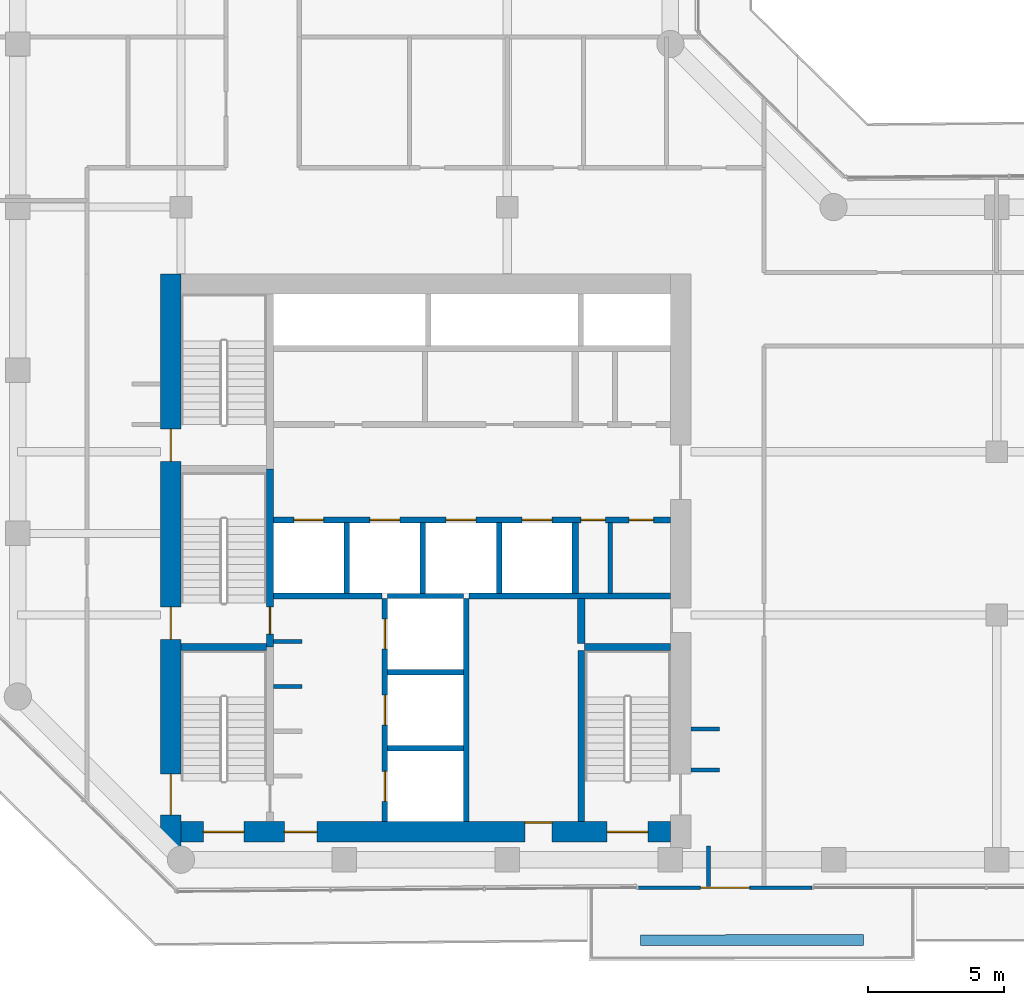
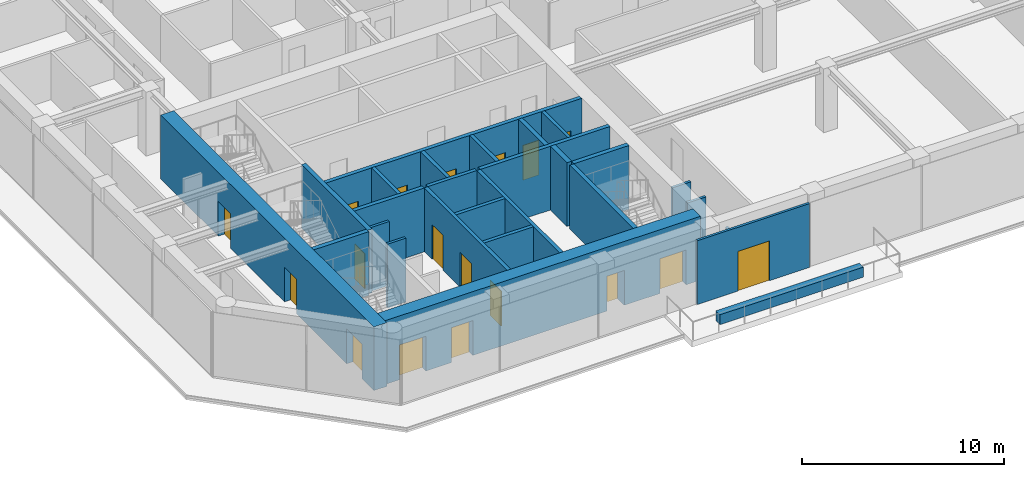
# One storey, part 16 of 21: 27 walls, 18 doors, 18 openings.
"""IFC4 building model written with IfcOpenShell, lengths in metres."""

from ifc_helpers import new_model, si_unit, direction, frame, frame_2d, origin, place, context, subcontext, project, spatial, rectangle, extrude, material, layer, layer_set, type_object, element, fill, save


model = new_model("IFC4")

# Units and contexts
model_context = context("Model", 3, precision=1e-05, world=origin(), true_north=direction((0.0, 1.0)))
body_context = subcontext(model_context, "Body", "Model", "MODEL_VIEW")
ifc_project = project(units=[si_unit("LENGTHUNIT", "METRE"), si_unit("AREAUNIT", "SQUARE_METRE"), si_unit("VOLUMEUNIT", "CUBIC_METRE"), si_unit("PLANEANGLEUNIT", "RADIAN"), si_unit("MASSUNIT", "GRAM", prefix="KILO")], contexts=[model_context])

# Site, building, storey
site_placement = place(None, origin())
site = spatial("IfcSite", under=ifc_project, at=site_placement, CompositionType="ELEMENT")
building_placement = place(site_placement, origin())
building = spatial("IfcBuilding", under=site, at=building_placement, Name="Welwitschia Terrace Campus", CompositionType="ELEMENT")
storey_placement = place(building_placement, frame((0.0, 0.0, 108.800048828125)))
storey = spatial("IfcBuildingStorey", under=building, at=storey_placement, Name="L24", CompositionType="ELEMENT", Elevation=108.800048828125)

# Wall, opening, door
ifc_material_1 = material(Name="Concrete C40/50", Category="concrete")
ifc_layer_1 = layer(ifc_material_1, 0.139892578125)
ifc_layer_set_1 = layer_set([ifc_layer_1], Name="Concrete C40/50")
wall_type_1 = type_object("IfcWallType", Name="Clad wall 140", PredefinedType="SOLIDWALL", material=ifc_layer_set_1)
wall_1_placement = place(storey_placement, frame((22.810791015625, 2.969970703125, 0.0), z_axis=(0.0, 0.0, 1.0), x_axis=(1.0, 0.0, 0.0)))
wall_1 = element("IfcWall", 1, at=wall_1_placement, inside=storey, type_object=wall_type_1, Name="Clad wall L24.terrace door 0", PredefinedType="SOLIDWALL", context=body_context, shape_type="SweptSolid", body=[
    extrude(rectangle(XDim=6.40380859375, YDim=0.139892578125, at=frame_2d((3.201904296875, 0.0))), origin(), (0.0, 0.0, 1.0), 3.849853515625),
])
opening_1_placement = place(wall_1_placement, frame((2.302001953125, 0.0, 0.0)))
opening_1 = element("IfcOpeningElement", 2, at=opening_1_placement, cuts=wall_1, Name="Opening DE3", PredefinedType="OPENING", context=body_context, shape_type="SweptSolid", body=[
    extrude(rectangle(XDim=1.800048828125, YDim=2.39990234375, at=frame_2d((0.89990234375, 1.199951171875))), frame((0.0, 0.079833984375, 0.0), z_axis=(0.0, -1.0, 0.0), x_axis=(1.0, 0.0, 0.0)), (0.0, 0.0, 1.0), 0.159912109375),
])
ifc_material_2 = material(Name="Bronze anodised aluminium and glass", Category="aluminium")
door_type_1 = type_object("IfcDoorType", Name="Terrace door 1800x2400", OperationType="DOUBLE_DOOR_DOUBLE_SWING", PredefinedType="DOOR", material=ifc_material_2)
door_1_placement = place(opening_1_placement, origin())
door_1 = element("IfcDoor", 3, at=door_1_placement, inside=storey, type_object=door_type_1, Name="Door L24:T0", OperationType="DOUBLE_DOOR_DOUBLE_SWING", OverallHeight=2.39990234375, OverallWidth=1.800048828125, PredefinedType="DOOR", context=body_context, shape_type="SweptSolid", body=[
    extrude(rectangle(XDim=1.800048828125, YDim=2.39990234375, at=frame_2d((0.89990234375, 1.199951171875))), frame((0.0, 0.02490234375, 0.0), z_axis=(0.0, -1.0, 0.0), x_axis=(1.0, 0.0, 0.0)), (0.0, 0.0, 1.0), 0.050048828125),
])
fill(opening_1, door_1)

# Walls
ifc_material_3 = material(Name="Concrete C32/40", Category="concrete")
ifc_layer_2 = layer(ifc_material_3, 0.175048828125)
ifc_layer_set_2 = layer_set([ifc_layer_2], Name="Concrete C32/40")
wall_type_2 = type_object("IfcWallType", Name="Core partition 175 Concrete C32/40", PredefinedType="PARTITIONING", material=ifc_layer_set_2)
wall_2_placement = place(storey_placement, frame((21.7900390625, 13.800048828125, 0.0), z_axis=(0.0, 0.0, 1.0), x_axis=(0.0, 1.0, 0.0)))
element("IfcWall", 4, at=wall_2_placement, inside=storey, type_object=wall_type_2, Name="Core partition", PredefinedType="PARTITIONING", context=body_context, shape_type="SweptSolid", body=[
    extrude(rectangle(XDim=2.599853515625, YDim=0.175048828125, at=frame_2d((1.2998046875, 0.0))), origin(), (0.0, 0.0, 1.0), 3.849853515625),
])
ifc_material_4 = material(Name="Concrete C32/40", Category="concrete")
ifc_layer_3 = layer(ifc_material_4, 0.22509765625)
ifc_layer_set_3 = layer_set([ifc_layer_3], Name="Concrete C32/40")
wall_type_3 = type_object("IfcWallType", Name="Core partition 225 Concrete C32/40", PredefinedType="PARTITIONING", material=ifc_layer_set_3)
wall_3_placement = place(storey_placement, frame((9.39990234375, 13.699951171875, 0.0), z_axis=(0.0, 0.0, 1.0), x_axis=(1.0, 0.0, 0.0)))
element("IfcWall", 5, at=wall_3_placement, inside=storey, type_object=wall_type_3, Name="Shaft wall", PredefinedType="PARTITIONING", context=body_context, shape_type="SweptSolid", body=[
    extrude(rectangle(XDim=4.0, YDim=0.22509765625, at=frame_2d((2.0, 0.0))), origin(), (0.0, 0.0, 1.0), 3.849853515625),
])
wall_4_placement = place(storey_placement, frame((16.60009765625, 13.699951171875, 0.0), z_axis=(0.0, 0.0, 1.0), x_axis=(1.0, 0.0, 0.0)))
element("IfcWall", 6, at=wall_4_placement, inside=storey, type_object=wall_type_3, Name="Shaft wall", PredefinedType="PARTITIONING", context=body_context, shape_type="SweptSolid", body=[
    extrude(rectangle(XDim=7.39990234375, YDim=0.22509765625, at=frame_2d((3.699951171875, 0.0))), origin(), (0.0, 0.0, 1.0), 3.849853515625),
])

# Wall, openings, doors
wall_5_placement = place(storey_placement, frame((9.39990234375, 16.5, 0.0), z_axis=(0.0, 0.0, 1.0), x_axis=(1.0, 0.0, 0.0)))
wall_5 = element("IfcWall", 7, at=wall_5_placement, inside=storey, type_object=wall_type_3, Name="Shaft wall", PredefinedType="PARTITIONING", context=body_context, shape_type="SweptSolid", body=[
    extrude(rectangle(XDim=14.60009765625, YDim=0.22509765625, at=frame_2d((7.300048828125, 0.0))), origin(), (0.0, 0.0, 1.0), 3.849853515625),
])
opening_2_placement = place(wall_5_placement, frame((0.75, 0.0, 0.0)))
opening_2 = element("IfcOpeningElement", 8, at=opening_2_placement, cuts=wall_5, Name="Opening LD", PredefinedType="OPENING", context=body_context, shape_type="SweptSolid", body=[
    extrude(rectangle(XDim=1.10009765625, YDim=2.10009765625, at=frame_2d((0.550048828125, 1.050048828125))), frame((0.0, 0.12255859375, 0.0), z_axis=(0.0, -1.0, 0.0), x_axis=(1.0, 0.0, 0.0)), (0.0, 0.0, 1.0), 0.2451171875),
])
opening_3_placement = place(wall_5_placement, frame((3.550048828125, 0.0, 0.0)))
opening_3 = element("IfcOpeningElement", 9, at=opening_3_placement, cuts=wall_5, Name="Opening LD", PredefinedType="OPENING", context=body_context, shape_type="SweptSolid", body=[
    extrude(rectangle(XDim=1.10009765625, YDim=2.10009765625, at=frame_2d((0.550048828125, 1.050048828125))), frame((0.0, 0.12255859375, 0.0), z_axis=(0.0, -1.0, 0.0), x_axis=(1.0, 0.0, 0.0)), (0.0, 0.0, 1.0), 0.2451171875),
])
opening_4_placement = place(wall_5_placement, frame((6.35009765625, 0.0, 0.0)))
opening_4 = element("IfcOpeningElement", 10, at=opening_4_placement, cuts=wall_5, Name="Opening LD", PredefinedType="OPENING", context=body_context, shape_type="SweptSolid", body=[
    extrude(rectangle(XDim=1.10009765625, YDim=2.10009765625, at=frame_2d((0.550048828125, 1.050048828125))), frame((0.0, 0.12255859375, 0.0), z_axis=(0.0, -1.0, 0.0), x_axis=(1.0, 0.0, 0.0)), (0.0, 0.0, 1.0), 0.2451171875),
])
opening_5_placement = place(wall_5_placement, frame((9.14990234375, 0.0, 0.0)))
opening_5 = element("IfcOpeningElement", 11, at=opening_5_placement, cuts=wall_5, Name="Opening LD", PredefinedType="OPENING", context=body_context, shape_type="SweptSolid", body=[
    extrude(rectangle(XDim=1.10009765625, YDim=2.10009765625, at=frame_2d((0.550048828125, 1.050048828125))), frame((0.0, 0.12255859375, 0.0), z_axis=(0.0, -1.0, 0.0), x_axis=(1.0, 0.0, 0.0)), (0.0, 0.0, 1.0), 0.2451171875),
])
opening_6_placement = place(wall_5_placement, frame((11.3076171875, 0.0, 0.0)))
opening_6 = element("IfcOpeningElement", 12, at=opening_6_placement, cuts=wall_5, Name="Opening DR09", PredefinedType="OPENING", context=body_context, shape_type="SweptSolid", body=[
    extrude(rectangle(XDim=0.89990234375, YDim=2.10009765625, at=frame_2d((0.449951171875, 1.050048828125))), frame((0.0, 0.12255859375, 0.0), z_axis=(0.0, -1.0, 0.0), x_axis=(1.0, 0.0, 0.0)), (0.0, 0.0, 1.0), 0.2451171875),
])
opening_7_placement = place(wall_5_placement, frame((13.08251953125, 0.0, 0.0)))
opening_7 = element("IfcOpeningElement", 13, at=opening_7_placement, cuts=wall_5, Name="Opening DR09", PredefinedType="OPENING", context=body_context, shape_type="SweptSolid", body=[
    extrude(rectangle(XDim=0.89990234375, YDim=2.10009765625, at=frame_2d((0.449951171875, 1.050048828125))), frame((0.0, 0.12255859375, 0.0), z_axis=(0.0, -1.0, 0.0), x_axis=(1.0, 0.0, 0.0)), (0.0, 0.0, 1.0), 0.2451171875),
])
ifc_material_5 = material(Name="Steel S275", Category="steel")
door_type_2 = type_object("IfcDoorType", Name="Core door DR09", OperationType="SINGLE_SWING_LEFT", PredefinedType="DOOR", material=ifc_material_5)
door_2_placement = place(opening_6_placement, origin())
door_2 = element("IfcDoor", 14, at=door_2_placement, inside=storey, type_object=door_type_2, Name="Door EL1-D", OperationType="SINGLE_SWING_RIGHT", OverallHeight=2.10009765625, OverallWidth=0.89990234375, PredefinedType="DOOR", context=body_context, shape_type="SweptSolid", body=[
    extrude(rectangle(XDim=0.89990234375, YDim=2.10009765625, at=frame_2d((0.449951171875, 1.050048828125))), frame((0.0, 0.02490234375, 0.0), z_axis=(0.0, -1.0, 0.0), x_axis=(1.0, 0.0, 0.0)), (0.0, 0.0, 1.0), 0.050048828125),
])
fill(opening_6, door_2)
door_3_placement = place(opening_7_placement, origin())
door_3 = element("IfcDoor", 15, at=door_3_placement, inside=storey, type_object=door_type_2, Name="Door EL2-D", OperationType="SINGLE_SWING_RIGHT", OverallHeight=2.10009765625, OverallWidth=0.89990234375, PredefinedType="DOOR", context=body_context, shape_type="SweptSolid", body=[
    extrude(rectangle(XDim=0.89990234375, YDim=2.10009765625, at=frame_2d((0.449951171875, 1.050048828125))), frame((0.0, 0.02490234375, 0.0), z_axis=(0.0, -1.0, 0.0), x_axis=(1.0, 0.0, 0.0)), (0.0, 0.0, 1.0), 0.050048828125),
])
fill(opening_7, door_3)
ifc_material_6 = material(Name="Stainless steel 304", Category="steel")
door_type_3 = type_object("IfcDoorType", Name="Lift landing door", OperationType="DOUBLE_DOOR_SLIDING", PredefinedType="DOOR", material=ifc_material_6)
door_4_placement = place(opening_2_placement, origin())
door_4 = element("IfcDoor", 16, at=door_4_placement, inside=storey, type_object=door_type_3, Name="Landing door LR1", OperationType="DOUBLE_DOOR_SLIDING", OverallHeight=2.10009765625, OverallWidth=1.10009765625, PredefinedType="DOOR", context=body_context, shape_type="SweptSolid", body=[
    extrude(rectangle(XDim=1.10009765625, YDim=2.10009765625, at=frame_2d((0.550048828125, 1.050048828125))), frame((0.0, 0.02490234375, 0.0), z_axis=(0.0, -1.0, 0.0), x_axis=(1.0, 0.0, 0.0)), (0.0, 0.0, 1.0), 0.050048828125),
])
fill(opening_2, door_4)
door_5_placement = place(opening_3_placement, origin())
door_5 = element("IfcDoor", 17, at=door_5_placement, inside=storey, type_object=door_type_3, Name="Landing door LR2", OperationType="DOUBLE_DOOR_SLIDING", OverallHeight=2.10009765625, OverallWidth=1.10009765625, PredefinedType="DOOR", context=body_context, shape_type="SweptSolid", body=[
    extrude(rectangle(XDim=1.10009765625, YDim=2.10009765625, at=frame_2d((0.550048828125, 1.050048828125))), frame((0.0, 0.02490234375, 0.0), z_axis=(0.0, -1.0, 0.0), x_axis=(1.0, 0.0, 0.0)), (0.0, 0.0, 1.0), 0.050048828125),
])
fill(opening_3, door_5)
door_6_placement = place(opening_4_placement, origin())
door_6 = element("IfcDoor", 18, at=door_6_placement, inside=storey, type_object=door_type_3, Name="Landing door LR3", OperationType="DOUBLE_DOOR_SLIDING", OverallHeight=2.10009765625, OverallWidth=1.10009765625, PredefinedType="DOOR", context=body_context, shape_type="SweptSolid", body=[
    extrude(rectangle(XDim=1.10009765625, YDim=2.10009765625, at=frame_2d((0.550048828125, 1.050048828125))), frame((0.0, 0.02490234375, 0.0), z_axis=(0.0, -1.0, 0.0), x_axis=(1.0, 0.0, 0.0)), (0.0, 0.0, 1.0), 0.050048828125),
])
fill(opening_4, door_6)
door_7_placement = place(opening_5_placement, origin())
door_7 = element("IfcDoor", 19, at=door_7_placement, inside=storey, type_object=door_type_3, Name="Landing door LR4", OperationType="DOUBLE_DOOR_SLIDING", OverallHeight=2.10009765625, OverallWidth=1.10009765625, PredefinedType="DOOR", context=body_context, shape_type="SweptSolid", body=[
    extrude(rectangle(XDim=1.10009765625, YDim=2.10009765625, at=frame_2d((0.550048828125, 1.050048828125))), frame((0.0, 0.02490234375, 0.0), z_axis=(0.0, -1.0, 0.0), x_axis=(1.0, 0.0, 0.0)), (0.0, 0.0, 1.0), 0.050048828125),
])
fill(opening_5, door_7)

# Walls
wall_6_placement = place(storey_placement, frame((20.5, 13.800048828125, 0.0), z_axis=(0.0, 0.0, 1.0), x_axis=(0.0, 1.0, 0.0)))
element("IfcWall", 20, at=wall_6_placement, inside=storey, type_object=wall_type_3, Name="Shaft wall", PredefinedType="PARTITIONING", context=body_context, shape_type="SweptSolid", body=[
    extrude(rectangle(XDim=2.599853515625, YDim=0.22509765625, at=frame_2d((1.2998046875, 0.0))), origin(), (0.0, 0.0, 1.0), 3.849853515625),
])
ifc_material_7 = material(Name="Concrete C32/40", Category="concrete")
ifc_layer_4 = layer(ifc_material_7, 0.27490234375)
ifc_layer_set_4 = layer_set([ifc_layer_4], Name="Concrete C32/40")
wall_type_4 = type_object("IfcWallType", Name="Core partition 275 Concrete C32/40", PredefinedType="PARTITIONING", material=ifc_layer_set_4)
wall_7_placement = place(storey_placement, frame((20.72509765625, 11.949951171875, 0.0), z_axis=(0.0, 0.0, 1.0), x_axis=(0.0, 1.0, 0.0)))
element("IfcWall", 21, at=wall_7_placement, inside=storey, type_object=wall_type_4, Name="Core partition", PredefinedType="PARTITIONING", context=body_context, shape_type="SweptSolid", body=[
    extrude(rectangle(XDim=1.650146484375, YDim=0.27490234375, at=frame_2d((0.8251953125, 0.0))), origin(), (0.0, 0.0, 1.0), 3.849853515625),
])
ifc_material_8 = material(Name="Concrete C50/60", Category="concrete")
ifc_layer_5 = layer(ifc_material_8, 0.14990234375)
ifc_layer_set_5 = layer_set([ifc_layer_5], Name="Concrete C50/60")
wall_type_5 = type_object("IfcWallType", Name="Core wall 150 Concrete C50/60", PredefinedType="SHEAR", material=ifc_layer_set_5)
for number, where, z_axis, x_axis, name in (
    (22, (9.39990234375, 10.375, 0.0), (0.0, 0.0, 1.0), (1.0, 0.0, 0.0), "Core wall"),
    (23, (9.39990234375, 12.02490234375, 0.0), (0.0, 0.0, 1.0), (1.0, 0.0, 0.0), "Core wall"),
):
    element("IfcWall", number, at=place(storey_placement, frame(where, z_axis=z_axis, x_axis=x_axis)), inside=storey, type_object=wall_type_5, Name=name, PredefinedType="SHEAR", context=body_context, shape_type="SweptSolid", body=[
        extrude(rectangle(XDim=1.050048828125, YDim=0.14990234375, at=frame_2d((0.52490234375, 0.0))), origin(), (0.0, 0.0, 1.0), 3.849853515625),
    ])
ifc_material_9 = material(Name="Concrete C50/60", Category="concrete")
ifc_layer_6 = layer(ifc_material_9, 0.199951171875)
ifc_layer_set_6 = layer_set([ifc_layer_6], Name="Concrete C50/60")
wall_type_6 = type_object("IfcWallType", Name="Core wall 200 Concrete C50/60", PredefinedType="SHEAR", material=ifc_layer_set_6)
for number, where, z_axis, x_axis, name in (
    (24, (13.60009765625, 8.10009765625, 0.0), (0.0, 0.0, 1.0), (1.0, 0.0, 0.0), "Core wall"),
    (25, (13.60009765625, 10.89990234375, 0.0), (0.0, 0.0, 1.0), (1.0, 0.0, 0.0), "Core wall"),
    (26, (13.60009765625, 13.699951171875, 0.0), (0.0, 0.0, 1.0), (1.0, 0.0, 0.0), "Core wall"),
):
    element("IfcWall", number, at=place(storey_placement, frame(where, z_axis=z_axis, x_axis=x_axis)), inside=storey, type_object=wall_type_6, Name=name, PredefinedType="SHEAR", context=body_context, shape_type="SweptSolid", body=[
        extrude(rectangle(XDim=2.7998046875, YDim=0.199951171875, at=frame_2d((1.39990234375, 0.0))), origin(), (0.0, 0.0, 1.0), 3.849853515625),
    ])

# Wall, openings, doors
wall_8_placement = place(storey_placement, frame((13.5, 5.39990234375, 0.0), z_axis=(0.0, 0.0, 1.0), x_axis=(0.0, 1.0, 0.0)))
wall_8 = element("IfcWall", 27, at=wall_8_placement, inside=storey, type_object=wall_type_6, Name="Core wall", PredefinedType="SHEAR", context=body_context, shape_type="SweptSolid", body=[
    extrude(rectangle(XDim=8.2001953125, YDim=0.199951171875, at=frame_2d((4.10009765625, 0.0))), origin(), (0.0, 0.0, 1.0), 3.849853515625),
])
opening_8_placement = place(wall_8_placement, frame((0.75, 0.0, 0.0)))
opening_8 = element("IfcOpeningElement", 28, at=opening_8_placement, cuts=wall_8, Name="Opening LD", PredefinedType="OPENING", context=body_context, shape_type="SweptSolid", body=[
    extrude(rectangle(XDim=1.10009765625, YDim=2.10009765625, at=frame_2d((0.550048828125, 1.050048828125))), frame((0.0, 0.10986328125, 0.0), z_axis=(0.0, -1.0, 0.0), x_axis=(1.0, 0.0, 0.0)), (0.0, 0.0, 1.0), 0.219970703125),
])
opening_9_placement = place(wall_8_placement, frame((3.550048828125, 0.0, 0.0)))
opening_9 = element("IfcOpeningElement", 29, at=opening_9_placement, cuts=wall_8, Name="Opening LD", PredefinedType="OPENING", context=body_context, shape_type="SweptSolid", body=[
    extrude(rectangle(XDim=1.10009765625, YDim=2.10009765625, at=frame_2d((0.550048828125, 1.050048828125))), frame((0.0, 0.10986328125, 0.0), z_axis=(0.0, -1.0, 0.0), x_axis=(1.0, 0.0, 0.0)), (0.0, 0.0, 1.0), 0.219970703125),
])
opening_10_placement = place(wall_8_placement, frame((6.35009765625, 0.0, 0.0)))
opening_10 = element("IfcOpeningElement", 30, at=opening_10_placement, cuts=wall_8, Name="Opening LD", PredefinedType="OPENING", context=body_context, shape_type="SweptSolid", body=[
    extrude(rectangle(XDim=1.10009765625, YDim=2.10009765625, at=frame_2d((0.550048828125, 1.050048828125))), frame((0.0, 0.10986328125, 0.0), z_axis=(0.0, -1.0, 0.0), x_axis=(1.0, 0.0, 0.0)), (0.0, 0.0, 1.0), 0.219970703125),
])
door_8_placement = place(opening_8_placement, origin())
door_8 = element("IfcDoor", 31, at=door_8_placement, inside=storey, type_object=door_type_3, Name="Landing door FF1", OperationType="DOUBLE_DOOR_SLIDING", OverallHeight=2.10009765625, OverallWidth=1.10009765625, PredefinedType="DOOR", context=body_context, shape_type="SweptSolid", body=[
    extrude(rectangle(XDim=1.10009765625, YDim=2.10009765625, at=frame_2d((0.550048828125, 1.050048828125))), frame((0.0, 0.02490234375, 0.0), z_axis=(0.0, -1.0, 0.0), x_axis=(1.0, 0.0, 0.0)), (0.0, 0.0, 1.0), 0.050048828125),
])
fill(opening_8, door_8)
door_9_placement = place(opening_9_placement, origin())
door_9 = element("IfcDoor", 32, at=door_9_placement, inside=storey, type_object=door_type_3, Name="Landing door FF2", OperationType="DOUBLE_DOOR_SLIDING", OverallHeight=2.10009765625, OverallWidth=1.10009765625, PredefinedType="DOOR", context=body_context, shape_type="SweptSolid", body=[
    extrude(rectangle(XDim=1.10009765625, YDim=2.10009765625, at=frame_2d((0.550048828125, 1.050048828125))), frame((0.0, 0.02490234375, 0.0), z_axis=(0.0, -1.0, 0.0), x_axis=(1.0, 0.0, 0.0)), (0.0, 0.0, 1.0), 0.050048828125),
])
fill(opening_9, door_9)
door_10_placement = place(opening_10_placement, origin())
door_10 = element("IfcDoor", 33, at=door_10_placement, inside=storey, type_object=door_type_3, Name="Landing door SV1", OperationType="DOUBLE_DOOR_SLIDING", OverallHeight=2.10009765625, OverallWidth=1.10009765625, PredefinedType="DOOR", context=body_context, shape_type="SweptSolid", body=[
    extrude(rectangle(XDim=1.10009765625, YDim=2.10009765625, at=frame_2d((0.550048828125, 1.050048828125))), frame((0.0, 0.02490234375, 0.0), z_axis=(0.0, -1.0, 0.0), x_axis=(1.0, 0.0, 0.0)), (0.0, 0.0, 1.0), 0.050048828125),
])
fill(opening_10, door_10)

# Walls
wall_9_placement = place(storey_placement, frame((16.5, 5.39990234375, 0.0), z_axis=(0.0, 0.0, 1.0), x_axis=(0.0, 1.0, 0.0)))
element("IfcWall", 34, at=wall_9_placement, inside=storey, type_object=wall_type_6, Name="Core wall", PredefinedType="SHEAR", context=body_context, shape_type="SweptSolid", body=[
    extrude(rectangle(XDim=8.2001953125, YDim=0.199951171875, at=frame_2d((4.10009765625, 0.0))), origin(), (0.0, 0.0, 1.0), 3.849853515625),
])
ifc_material_10 = material(Name="Concrete C50/60", Category="concrete")
ifc_layer_7 = layer(ifc_material_10, 0.25)
ifc_layer_set_7 = layer_set([ifc_layer_7], Name="Concrete C50/60")
wall_type_7 = type_object("IfcWallType", Name="Core wall 250 Concrete C50/60", PredefinedType="SHEAR", material=ifc_layer_set_7)
for number, where, z_axis, x_axis, name in (
    (35, (6.0, 11.824951171875, 0.0), (0.0, 0.0, 1.0), (1.0, 0.0, 0.0), "Core wall"),
    (36, (20.85009765625, 11.824951171875, 0.0), (0.0, 0.0, 1.0), (1.0, 0.0, 0.0), "Core wall"),
):
    element("IfcWall", number, at=place(storey_placement, frame(where, z_axis=z_axis, x_axis=x_axis)), inside=storey, type_object=wall_type_7, Name=name, PredefinedType="SHEAR", context=body_context, shape_type="SweptSolid", body=[
        extrude(rectangle(XDim=3.14990234375, YDim=0.25, at=frame_2d((1.574951171875, 0.0))), origin(), (0.0, 0.0, 1.0), 3.849853515625),
    ])

# Wall, opening, door
wall_10_placement = place(storey_placement, frame((9.27490234375, 18.375, 0.0), z_axis=(0.0, 0.0, 1.0), x_axis=(0.0, -1.0, 0.0)))
wall_10 = element("IfcWall", 37, at=wall_10_placement, inside=storey, type_object=wall_type_7, Name="Core wall", PredefinedType="SHEAR", context=body_context, shape_type="SweptSolid", body=[
    extrude(rectangle(XDim=6.550048828125, YDim=0.25, at=frame_2d((3.27490234375, 0.0))), origin(), (0.0, 0.0, 1.0), 3.849853515625),
])
opening_11_placement = place(wall_10_placement, frame((5.074951171875, 0.0, 0.0)))
opening_11 = element("IfcOpeningElement", 38, at=opening_11_placement, cuts=wall_10, Name="Opening DS10", PredefinedType="OPENING", context=body_context, shape_type="SweptSolid", body=[
    extrude(rectangle(XDim=1.0, YDim=2.10009765625, at=frame_2d((0.5, 1.050048828125))), frame((0.0, 0.135009765625, 0.0), z_axis=(0.0, -1.0, 0.0), x_axis=(1.0, 0.0, 0.0)), (0.0, 0.0, 1.0), 0.27001953125),
])
ifc_material_11 = material(Name="Steel S275", Category="steel")
door_type_4 = type_object("IfcDoorType", Name="Core door DS10", OperationType="SINGLE_SWING_LEFT", PredefinedType="DOOR", material=ifc_material_11)
door_11_placement = place(opening_11_placement, origin())
door_11 = element("IfcDoor", 39, at=door_11_placement, inside=storey, type_object=door_type_4, Name="Door S3-FL", OperationType="SINGLE_SWING_RIGHT", OverallHeight=2.10009765625, OverallWidth=1.0, PredefinedType="DOOR", context=body_context, shape_type="SweptSolid", body=[
    extrude(rectangle(XDim=1.0, YDim=2.10009765625, at=frame_2d((0.5, 1.050048828125))), frame((0.0, 0.02490234375, 0.0), z_axis=(0.0, -1.0, 0.0), x_axis=(1.0, 0.0, 0.0)), (0.0, 0.0, 1.0), 0.050048828125),
])
fill(opening_11, door_11)

# Wall
wall_11_placement = place(storey_placement, frame((20.72509765625, 5.39990234375, 0.0), z_axis=(0.0, 0.0, 1.0), x_axis=(0.0, 1.0, 0.0)))
element("IfcWall", 40, at=wall_11_placement, inside=storey, type_object=wall_type_7, Name="Core wall", PredefinedType="SHEAR", context=body_context, shape_type="SweptSolid", body=[
    extrude(rectangle(XDim=6.300048828125, YDim=0.25, at=frame_2d((3.14990234375, 0.0))), origin(), (0.0, 0.0, 1.0), 3.849853515625),
])

# Wall, openings, doors
ifc_material_12 = material(Name="Concrete C70/85", Category="concrete")
ifc_layer_8 = layer(ifc_material_12, 0.75)
ifc_layer_set_8 = layer_set([ifc_layer_8], Name="Concrete C70/85")
wall_type_8 = type_object("IfcWallType", Name="Core wall 750 Concrete C70/85", PredefinedType="SHEAR", material=ifc_layer_set_8)
wall_12_placement = place(storey_placement, frame((5.625, 4.469970703125, 0.0), z_axis=(0.0, 0.0, 1.0), x_axis=(0.0, 1.0, 0.0)))
wall_12 = element("IfcWall", 41, at=wall_12_placement, inside=storey, type_object=wall_type_8, Name="Core outer wall", PredefinedType="SHEAR", context=body_context, shape_type="SweptSolid", body=[
    extrude(rectangle(XDim=21.080078125, YDim=0.75, at=frame_2d((10.5400390625, 0.0))), origin(), (0.0, 0.0, 1.0), 3.849853515625),
])
opening_12_placement = place(wall_12_placement, frame((1.179931640625, 0.0, 0.0)))
opening_12 = element("IfcOpeningElement", 42, at=opening_12_placement, cuts=wall_12, Name="Opening DS15", PredefinedType="OPENING", context=body_context, shape_type="SweptSolid", body=[
    extrude(rectangle(XDim=1.5, YDim=2.10009765625, at=frame_2d((0.75, 1.050048828125))), frame((0.0, 0.385009765625, 0.0), z_axis=(0.0, -1.0, 0.0), x_axis=(1.0, 0.0, 0.0)), (0.0, 0.0, 1.0), 0.77001953125),
])
opening_13_placement = place(wall_12_placement, frame((7.6298828125, 0.0, 0.0)))
opening_13 = element("IfcOpeningElement", 43, at=opening_13_placement, cuts=wall_12, Name="Opening DS12", PredefinedType="OPENING", context=body_context, shape_type="SweptSolid", body=[
    extrude(rectangle(XDim=1.199951171875, YDim=2.10009765625, at=frame_2d((0.60009765625, 1.050048828125))), frame((0.0, 0.385009765625, 0.0), z_axis=(0.0, -1.0, 0.0), x_axis=(1.0, 0.0, 0.0)), (0.0, 0.0, 1.0), 0.77001953125),
])
opening_14_placement = place(wall_12_placement, frame((14.179931640625, 0.0, 0.0)))
opening_14 = element("IfcOpeningElement", 44, at=opening_14_placement, cuts=wall_12, Name="Opening DS12", PredefinedType="OPENING", context=body_context, shape_type="SweptSolid", body=[
    extrude(rectangle(XDim=1.199951171875, YDim=2.10009765625, at=frame_2d((0.60009765625, 1.050048828125))), frame((0.0, 0.385009765625, 0.0), z_axis=(0.0, -1.0, 0.0), x_axis=(1.0, 0.0, 0.0)), (0.0, 0.0, 1.0), 0.77001953125),
])
ifc_material_13 = material(Name="Steel S275", Category="steel")
door_type_5 = type_object("IfcDoorType", Name="Core door DS12", OperationType="SINGLE_SWING_LEFT", PredefinedType="DOOR", material=ifc_material_13)
door_12_placement = place(opening_13_placement, origin())
door_12 = element("IfcDoor", 45, at=door_12_placement, inside=storey, type_object=door_type_5, Name="Door S3-out", OperationType="SINGLE_SWING_LEFT", OverallHeight=2.10009765625, OverallWidth=1.199951171875, PredefinedType="DOOR", context=body_context, shape_type="SweptSolid", body=[
    extrude(rectangle(XDim=1.199951171875, YDim=2.10009765625, at=frame_2d((0.60009765625, 1.050048828125))), frame((0.0, 0.02490234375, 0.0), z_axis=(0.0, -1.0, 0.0), x_axis=(1.0, 0.0, 0.0)), (0.0, 0.0, 1.0), 0.050048828125),
])
fill(opening_13, door_12)
door_13_placement = place(opening_14_placement, origin())
door_13 = element("IfcDoor", 46, at=door_13_placement, inside=storey, type_object=door_type_5, Name="Door S4-out", OperationType="SINGLE_SWING_RIGHT", OverallHeight=2.10009765625, OverallWidth=1.199951171875, PredefinedType="DOOR", context=body_context, shape_type="SweptSolid", body=[
    extrude(rectangle(XDim=1.199951171875, YDim=2.10009765625, at=frame_2d((0.60009765625, 1.050048828125))), frame((0.0, 0.02490234375, 0.0), z_axis=(0.0, -1.0, 0.0), x_axis=(1.0, 0.0, 0.0)), (0.0, 0.0, 1.0), 0.050048828125),
])
fill(opening_14, door_13)
ifc_material_14 = material(Name="Steel S275", Category="steel")
door_type_6 = type_object("IfcDoorType", Name="Core door DS15", OperationType="DOUBLE_DOOR_SINGLE_SWING", PredefinedType="DOOR", material=ifc_material_14)
door_14_placement = place(opening_12_placement, origin())
door_14 = element("IfcDoor", 47, at=door_14_placement, inside=storey, type_object=door_type_6, Name="Door S1-out", OperationType="DOUBLE_DOOR_SINGLE_SWING", OverallHeight=2.10009765625, OverallWidth=1.5, PredefinedType="DOOR", context=body_context, shape_type="SweptSolid", body=[
    extrude(rectangle(XDim=1.5, YDim=2.10009765625, at=frame_2d((0.75, 1.050048828125))), frame((0.0, 0.02490234375, 0.0), z_axis=(0.0, -1.0, 0.0), x_axis=(1.0, 0.0, 0.0)), (0.0, 0.0, 1.0), 0.050048828125),
])
fill(opening_12, door_14)

wall_13_placement = place(storey_placement, frame((24.0, 5.02490234375, 0.0), z_axis=(0.0, 0.0, 1.0), x_axis=(-1.0, 0.0, 0.0)))
wall_13 = element("IfcWall", 48, at=wall_13_placement, inside=storey, type_object=wall_type_8, Name="Core outer wall", PredefinedType="SHEAR", context=body_context, shape_type="SweptSolid", body=[
    extrude(rectangle(XDim=18.0, YDim=0.75, at=frame_2d((9.0, 0.0))), origin(), (0.0, 0.0, 1.0), 3.849853515625),
])
opening_15_placement = place(wall_13_placement, frame((0.824951171875, 0.0, 0.0)))
opening_15 = element("IfcOpeningElement", 49, at=opening_15_placement, cuts=wall_13, Name="Opening DS15", PredefinedType="OPENING", context=body_context, shape_type="SweptSolid", body=[
    extrude(rectangle(XDim=1.5, YDim=2.10009765625, at=frame_2d((0.75, 1.050048828125))), frame((0.0, 0.385009765625, 0.0), z_axis=(0.0, -1.0, 0.0), x_axis=(1.0, 0.0, 0.0)), (0.0, 0.0, 1.0), 0.77001953125),
])
opening_16_placement = place(wall_13_placement, frame((15.675048828125, 0.0, 0.0)))
opening_16 = element("IfcOpeningElement", 50, at=opening_16_placement, cuts=wall_13, Name="Opening DS15", PredefinedType="OPENING", context=body_context, shape_type="SweptSolid", body=[
    extrude(rectangle(XDim=1.5, YDim=2.10009765625, at=frame_2d((0.75, 1.050048828125))), frame((0.0, 0.385009765625, 0.0), z_axis=(0.0, -1.0, 0.0), x_axis=(1.0, 0.0, 0.0)), (0.0, 0.0, 1.0), 0.77001953125),
])
opening_17_placement = place(wall_13_placement, frame((13.0, 0.0, 0.0)))
opening_17 = element("IfcOpeningElement", 51, at=opening_17_placement, cuts=wall_13, Name="Opening DF12", PredefinedType="OPENING", context=body_context, shape_type="SweptSolid", body=[
    extrude(rectangle(XDim=1.199951171875, YDim=2.10009765625, at=frame_2d((0.60009765625, 1.050048828125))), frame((0.0, 0.385009765625, 0.0), z_axis=(0.0, -1.0, 0.0), x_axis=(1.0, 0.0, 0.0)), (0.0, 0.0, 1.0), 0.77001953125),
])
opening_18_placement = place(wall_13_placement, frame((4.35009765625, 0.0, 0.0)))
opening_18 = element("IfcOpeningElement", 52, at=opening_18_placement, cuts=wall_13, Name="Opening DR10", PredefinedType="OPENING", context=body_context, shape_type="SweptSolid", body=[
    extrude(rectangle(XDim=1.0, YDim=2.10009765625, at=frame_2d((0.5, 1.050048828125))), frame((0.0, 0.385009765625, 0.0), z_axis=(0.0, -1.0, 0.0), x_axis=(1.0, 0.0, 0.0)), (0.0, 0.0, 1.0), 0.77001953125),
])
ifc_material_15 = material(Name="Steel S275", Category="steel")
door_type_7 = type_object("IfcDoorType", Name="Core door DF12", OperationType="SINGLE_SWING_LEFT", PredefinedType="DOOR", material=ifc_material_15)
door_15_placement = place(opening_17_placement, origin())
door_15 = element("IfcDoor", 53, at=door_15_placement, inside=storey, type_object=door_type_7, Name="Door FL-out", OperationType="SINGLE_SWING_RIGHT", OverallHeight=2.10009765625, OverallWidth=1.199951171875, PredefinedType="DOOR", context=body_context, shape_type="SweptSolid", body=[
    extrude(rectangle(XDim=1.199951171875, YDim=2.10009765625, at=frame_2d((0.60009765625, 1.050048828125))), frame((0.0, 0.02490234375, 0.0), z_axis=(0.0, -1.0, 0.0), x_axis=(1.0, 0.0, 0.0)), (0.0, 0.0, 1.0), 0.050048828125),
])
fill(opening_17, door_15)
ifc_material_16 = material(Name="Steel S275", Category="steel")
door_type_8 = type_object("IfcDoorType", Name="Core door DR10", OperationType="SINGLE_SWING_LEFT", PredefinedType="DOOR", material=ifc_material_16)
door_16_placement = place(opening_18_placement, origin())
door_16 = element("IfcDoor", 54, at=door_16_placement, inside=storey, type_object=door_type_8, Name="Door F1-out", OperationType="SINGLE_SWING_LEFT", OverallHeight=2.10009765625, OverallWidth=1.0, PredefinedType="DOOR", context=body_context, shape_type="SweptSolid", body=[
    extrude(rectangle(XDim=1.0, YDim=2.10009765625, at=frame_2d((0.5, 1.050048828125))), frame((0.0, -0.31494140625, 0.0), z_axis=(0.0, -1.0, 0.0), x_axis=(1.0, 0.0, 0.0)), (0.0, 0.0, 1.0), 0.050048828125),
])
fill(opening_18, door_16)
door_17_placement = place(opening_15_placement, origin())
door_17 = element("IfcDoor", 55, at=door_17_placement, inside=storey, type_object=door_type_6, Name="Door S2-outS", OperationType="DOUBLE_DOOR_SINGLE_SWING", OverallHeight=2.10009765625, OverallWidth=1.5, PredefinedType="DOOR", context=body_context, shape_type="SweptSolid", body=[
    extrude(rectangle(XDim=1.5, YDim=2.10009765625, at=frame_2d((0.75, 1.050048828125))), frame((0.0, 0.02490234375, 0.0), z_axis=(0.0, -1.0, 0.0), x_axis=(1.0, 0.0, 0.0)), (0.0, 0.0, 1.0), 0.050048828125),
])
fill(opening_15, door_17)
door_18_placement = place(opening_16_placement, origin())
door_18 = element("IfcDoor", 56, at=door_18_placement, inside=storey, type_object=door_type_6, Name="Door S1-outS", OperationType="DOUBLE_DOOR_SINGLE_SWING", OverallHeight=2.10009765625, OverallWidth=1.5, PredefinedType="DOOR", context=body_context, shape_type="SweptSolid", body=[
    extrude(rectangle(XDim=1.5, YDim=2.10009765625, at=frame_2d((0.75, 1.050048828125))), frame((0.0, 0.02490234375, 0.0), z_axis=(0.0, -1.0, 0.0), x_axis=(1.0, 0.0, 0.0)), (0.0, 0.0, 1.0), 0.050048828125),
])
fill(opening_16, door_18)

# Walls
ifc_material_17 = material(Name="Gypsum board on steel studs", Category="steel")
ifc_layer_9 = layer(ifc_material_17, 0.14990234375)
ifc_layer_set_9 = layer_set([ifc_layer_9], Name="Gypsum board on steel studs")
wall_type_9 = type_object("IfcWallType", Name="Corridor partition 150 EI 30", PredefinedType="PARTITIONING", material=ifc_layer_set_9)
for number, where, z_axis, x_axis, name in (
    (57, (24.75, 7.300048828125, 0.0), (0.0, 0.0, 1.0), (1.0, 0.0, 0.0), "Partition"),
    (58, (24.75, 8.800048828125, 0.0), (0.0, 0.0, 1.0), (1.0, 0.0, 0.0), "Partition"),
):
    element("IfcWall", number, at=place(storey_placement, frame(where, z_axis=z_axis, x_axis=x_axis)), inside=storey, type_object=wall_type_9, Name=name, PredefinedType="PARTITIONING", context=body_context, shape_type="SweptSolid", body=[
        extrude(rectangle(XDim=1.050048828125, YDim=0.14990234375, at=frame_2d((0.52490234375, 0.0))), origin(), (0.0, 0.0, 1.0), 2.829833984375),
    ])
wall_14_placement = place(storey_placement, frame((25.39990234375, 3.02001953125, 0.0), z_axis=(0.0, 0.0, 1.0), x_axis=(0.0, 1.0, 0.0)))
element("IfcWall", 59, at=wall_14_placement, inside=storey, type_object=wall_type_9, Name="Partition", PredefinedType="PARTITIONING", context=body_context, shape_type="SweptSolid", body=[
    extrude(rectangle(XDim=1.47998046875, YDim=0.14990234375, at=frame_2d((0.739990234375, 0.0))), origin(), (0.0, 0.0, 1.0), 2.829833984375),
])
ifc_material_18 = material(Name="Concrete C40/50", Category="concrete")
ifc_layer_10 = layer(ifc_material_18, 0.39990234375)
ifc_layer_set_10 = layer_set([ifc_layer_10], Name="Concrete C40/50")
wall_type_10 = type_object("IfcWallType", Name="Planter wall 400", PredefinedType="SOLIDWALL", material=ifc_layer_set_10)
wall_15_placement = place(storey_placement, frame((31.09912109375, 1.047607421875, 0.0), z_axis=(0.0, 0.0, 1.0), x_axis=(-0.999999102464, -0.001339802888, 0.0)))
element("IfcWall", 60, at=wall_15_placement, inside=storey, type_object=wall_type_10, Name="PLANTER", PredefinedType="SOLIDWALL", context=body_context, shape_type="SweptSolid", body=[
    extrude(rectangle(XDim=8.199951171875, YDim=0.39990234375, at=frame_2d((4.10009765625, 0.0))), origin(), (0.0, 0.0, 1.0), 0.599853515625),
])
ifc_material_19 = material(Name="Concrete C32/40", Category="concrete")
ifc_layer_11 = layer(ifc_material_19, 0.199951171875)
ifc_layer_set_11 = layer_set([ifc_layer_11], Name="Concrete C32/40")
wall_type_11 = type_object("IfcWallType", Name="Shaft wall 200 Concrete C32/40", PredefinedType="SOLIDWALL", material=ifc_layer_set_11)
for number, where, z_axis, x_axis, name in (
    (61, (12.10009765625, 13.800048828125, 0.0), (0.0, 0.0, 1.0), (0.0, 1.0, 0.0), "Shaft wall"),
    (62, (14.89990234375, 13.800048828125, 0.0), (0.0, 0.0, 1.0), (0.0, 1.0, 0.0), "Shaft wall"),
    (63, (17.699951171875, 13.800048828125, 0.0), (0.0, 0.0, 1.0), (0.0, 1.0, 0.0), "Shaft wall"),
):
    element("IfcWall", number, at=place(storey_placement, frame(where, z_axis=z_axis, x_axis=x_axis)), inside=storey, type_object=wall_type_11, Name=name, PredefinedType="SOLIDWALL", context=body_context, shape_type="SweptSolid", body=[
        extrude(rectangle(XDim=2.599853515625, YDim=0.199951171875, at=frame_2d((1.2998046875, 0.0))), origin(), (0.0, 0.0, 1.0), 3.849853515625),
    ])

save(model, "model.ifc")
